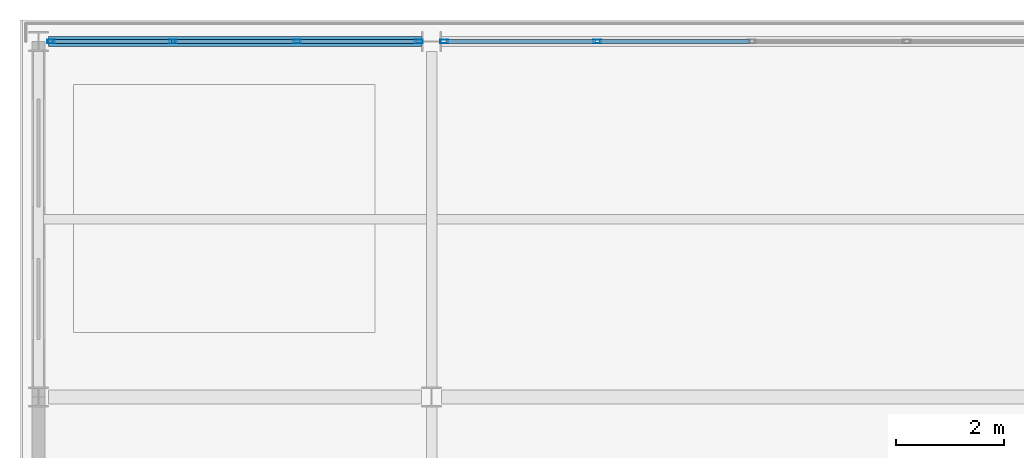
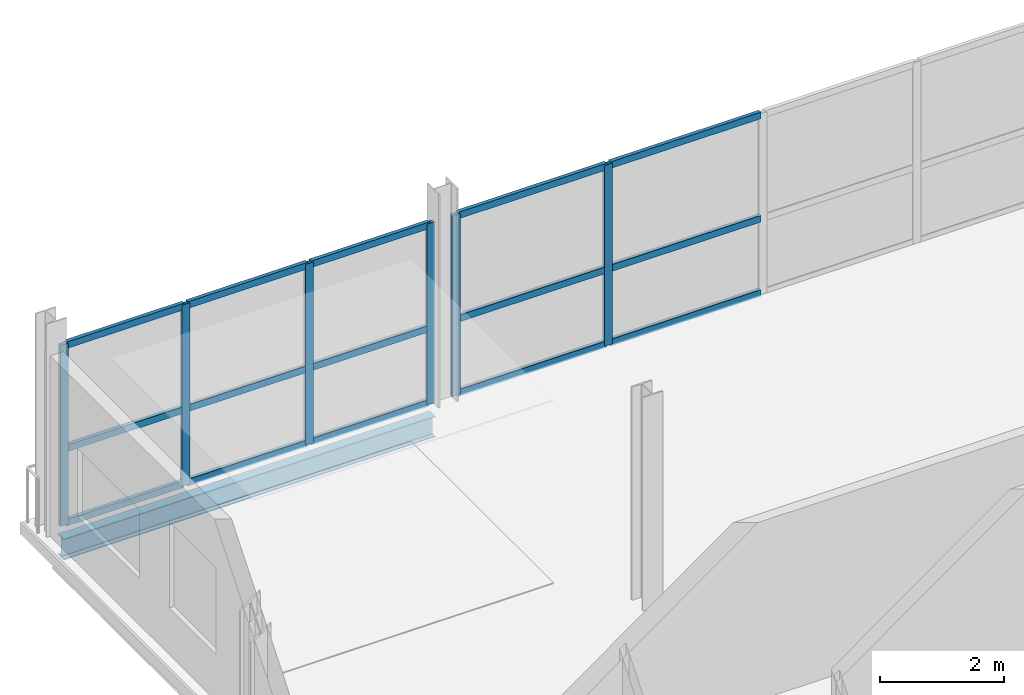
# One storey, part 11 of 20: 21 members, 1 beam, 2 elements without a shape of their own.
"""IFC4 building model written with IfcOpenShell, lengths in metres."""

from ifc_helpers import new_model, si_unit, direction, frame, origin, origin_2d, place, context, subcontext, project, spatial, hollow_rectangle, i_section, extrude, material, layer, layer_set, material_profile, profile_set, type_object, element, aggregate, save


model = new_model("IFC4")

# Units and contexts
model_context = context("Model", 3, precision=1e-05, world=origin(), true_north=direction((0.0, 1.0)))
body_context = subcontext(model_context, "Body", "Model", "MODEL_VIEW")
ifc_project = project(units=[si_unit("LENGTHUNIT", "METRE"), si_unit("AREAUNIT", "SQUARE_METRE"), si_unit("VOLUMEUNIT", "CUBIC_METRE"), si_unit("PLANEANGLEUNIT", "RADIAN"), si_unit("MASSUNIT", "GRAM", prefix="KILO")], contexts=[model_context])

# Site, building, storey
site_placement = place(None, origin())
site = spatial("IfcSite", under=ifc_project, at=site_placement, CompositionType="ELEMENT")
building_placement = place(site_placement, origin())
building = spatial("IfcBuilding", under=site, at=building_placement, Name="Quillay Park Conservatory", CompositionType="ELEMENT")
storey_placement = place(building_placement, frame((0.0, 0.0, 26.699951171875)))
storey = spatial("IfcBuildingStorey", under=building, at=storey_placement, Name="L06", CompositionType="ELEMENT", Elevation=26.699951171875)

# Curtain wall, members
ifc_material_1 = material(Name="Thermally Broken Anodised Aluminium 6063-T6", Category="aluminium")
ifc_layer = layer(ifc_material_1, 0.199951171875)
ifc_layer_set = layer_set([ifc_layer], Name="UNITISED CURTAIN WALL HERBARIUM (Thermally Broken Anodised Aluminium 6063-T6)")
curtain_wall_type = type_object("IfcCurtainWallType", Name="UNITISED CURTAIN WALL HERBARIUM", PredefinedType="USERDEFINED", material=ifc_layer_set)
curtain_wall_1_placement = place(storey_placement, origin())
curtain_wall_1 = element("IfcCurtainWall", 1, at=curtain_wall_1_placement, inside=storey, type_object=curtain_wall_type, Name="L06 Unitised Curtain Wall 065", ObjectType="UNITISED CURTAIN WALL", PredefinedType="USERDEFINED")
ifc_material_2 = material(Name="Thermally Broken Anodised Aluminium 6063-T6", Category="aluminium")
ifc_material_profile_1 = material_profile(ifc_material_2, hollow_rectangle(XDim=0.070068359375, YDim=0.14990234375, WallThickness=0.00341796875, at=origin_2d()), Name="AL70x150x3.5")
ifc_profile_set_1 = profile_set([ifc_material_profile_1], Name="Thermally Broken Anodised Aluminium 6063-T6")
member_type_1 = type_object("IfcMemberType", Name="CURTAIN WALL MULLION 70 X150", PredefinedType="MULLION", material=ifc_profile_set_1)
member_1_placement = place(storey_placement, frame((0.784912109375, 113.39990234375, 0.0), z_axis=(0.0, 0.0, 1.0), x_axis=(0.0, 1.0, 0.0)))
member_1 = element("IfcMember", 2, at=member_1_placement, type_object=member_type_1, Name="CW-T2 mullion 1", PredefinedType="MULLION", context=body_context, shape_type="SweptSolid", body=[
    extrude(hollow_rectangle(XDim=0.070068359375, YDim=0.14990234375, WallThickness=0.00341796875, at=origin_2d()), origin(), (0.0, 0.0, 1.0), 3.569091796875),
])
member_2_placement = place(storey_placement, frame((3.050048828125, 113.39990234375, 0.0), z_axis=(0.0, 0.0, 1.0), x_axis=(0.0, 1.0, 0.0)))
member_2 = element("IfcMember", 3, at=member_2_placement, type_object=member_type_1, Name="CW-T2 mullion 2", PredefinedType="MULLION", context=body_context, shape_type="SweptSolid", body=[
    extrude(hollow_rectangle(XDim=0.070068359375, YDim=0.14990234375, WallThickness=0.00341796875, at=origin_2d()), origin(), (0.0, 0.0, 1.0), 3.569091796875),
])
member_3_placement = place(storey_placement, frame((5.35009765625, 113.39990234375, 0.0), z_axis=(0.0, 0.0, 1.0), x_axis=(0.0, 1.0, 0.0)))
member_3 = element("IfcMember", 4, at=member_3_placement, type_object=member_type_1, Name="CW-T2 mullion 3", PredefinedType="MULLION", context=body_context, shape_type="SweptSolid", body=[
    extrude(hollow_rectangle(XDim=0.070068359375, YDim=0.14990234375, WallThickness=0.00341796875, at=origin_2d()), origin(), (0.0, 0.0, 1.0), 3.569091796875),
])
member_4_placement = place(storey_placement, frame((7.614990234375, 113.39990234375, 0.0), z_axis=(0.0, 0.0, 1.0), x_axis=(0.0, 1.0, 0.0)))
member_4 = element("IfcMember", 5, at=member_4_placement, type_object=member_type_1, Name="CW-T2 mullion 4", PredefinedType="MULLION", context=body_context, shape_type="SweptSolid", body=[
    extrude(hollow_rectangle(XDim=0.070068359375, YDim=0.14990234375, WallThickness=0.00341796875, at=origin_2d()), origin(), (0.0, 0.0, 1.0), 3.569091796875),
])

curtain_wall_2_placement = place(storey_placement, origin())
curtain_wall_2 = element("IfcCurtainWall", 6, at=curtain_wall_2_placement, inside=storey, type_object=curtain_wall_type, Name="L06 Unitised Curtain Wall 066", ObjectType="UNITISED CURTAIN WALL", PredefinedType="USERDEFINED")
member_5_placement = place(storey_placement, frame((8.0849609375, 113.39990234375, 0.0), z_axis=(0.0, 0.0, 1.0), x_axis=(0.0, 1.0, 0.0)))
member_5 = element("IfcMember", 7, at=member_5_placement, type_object=member_type_1, Name="CW-T2 mullion 1", PredefinedType="MULLION", context=body_context, shape_type="SweptSolid", body=[
    extrude(hollow_rectangle(XDim=0.070068359375, YDim=0.14990234375, WallThickness=0.00341796875, at=origin_2d()), origin(), (0.0, 0.0, 1.0), 3.569091796875),
])
member_6_placement = place(storey_placement, frame((10.925048828125, 113.39990234375, 0.0), z_axis=(0.0, 0.0, 1.0), x_axis=(0.0, 1.0, 0.0)))
member_6 = element("IfcMember", 8, at=member_6_placement, type_object=member_type_1, Name="CW-T2 mullion 2", PredefinedType="MULLION", context=body_context, shape_type="SweptSolid", body=[
    extrude(hollow_rectangle(XDim=0.070068359375, YDim=0.14990234375, WallThickness=0.00341796875, at=origin_2d()), origin(), (0.0, 0.0, 1.0), 3.569091796875),
])

# Member
ifc_material_3 = material(Name="Thermally Broken Anodised Aluminium 6063-T6", Category="aluminium")
ifc_material_profile_2 = material_profile(ifc_material_3, hollow_rectangle(XDim=0.070068359375, YDim=0.1298828125, WallThickness=0.003173828125, at=origin_2d()), Name="AL70x130x3.2")
ifc_profile_set_2 = profile_set([ifc_material_profile_2], Name="Thermally Broken Anodised Aluminium 6063-T6")
member_type_2 = type_object("IfcMemberType", Name="CURTAIN WALL TRANSOM 70 X130", PredefinedType="USERDEFINED", material=ifc_profile_set_2)
member_7_placement = place(storey_placement, frame((0.820068359375, 113.39990234375, 0.03515625), z_axis=(1.0, 0.0, 0.0), x_axis=(0.0, 1.0, 0.0)))
member_7 = element("IfcMember", 9, at=member_7_placement, type_object=member_type_2, Name="CW-T2 transom 1.1", ObjectType="TRANSOM", PredefinedType="USERDEFINED", context=body_context, shape_type="SweptSolid", body=[
    extrude(hollow_rectangle(XDim=0.070068359375, YDim=0.1298828125, WallThickness=0.003173828125, at=origin_2d()), origin(), (0.0, 0.0, 1.0), 2.19482421875),
])

member_8_placement = place(storey_placement, frame((0.820068359375, 113.39990234375, 1.4990234375), z_axis=(1.0, 0.0, 0.0), x_axis=(0.0, 1.0, 0.0)))
member_8 = element("IfcMember", 10, at=member_8_placement, type_object=member_type_2, Name="CW-T2 transom 1.2", ObjectType="TRANSOM", PredefinedType="USERDEFINED", context=body_context, shape_type="SweptSolid", body=[
    extrude(hollow_rectangle(XDim=0.070068359375, YDim=0.1298828125, WallThickness=0.003173828125, at=origin_2d()), origin(), (0.0, 0.0, 1.0), 2.19482421875),
])

member_9_placement = place(storey_placement, frame((0.820068359375, 113.39990234375, 3.533935546875), z_axis=(1.0, 0.0, 0.0), x_axis=(0.0, 1.0, 0.0)))
member_9 = element("IfcMember", 11, at=member_9_placement, type_object=member_type_2, Name="CW-T2 transom 1.3", ObjectType="TRANSOM", PredefinedType="USERDEFINED", context=body_context, shape_type="SweptSolid", body=[
    extrude(hollow_rectangle(XDim=0.070068359375, YDim=0.1298828125, WallThickness=0.003173828125, at=origin_2d()), origin(), (0.0, 0.0, 1.0), 2.19482421875),
])

member_10_placement = place(storey_placement, frame((3.0849609375, 113.39990234375, 0.03515625), z_axis=(1.0, 0.0, 0.0), x_axis=(0.0, 1.0, 0.0)))
member_10 = element("IfcMember", 12, at=member_10_placement, type_object=member_type_2, Name="CW-T2 transom 2.1", ObjectType="TRANSOM", PredefinedType="USERDEFINED", context=body_context, shape_type="SweptSolid", body=[
    extrude(hollow_rectangle(XDim=0.070068359375, YDim=0.1298828125, WallThickness=0.003173828125, at=origin_2d()), origin(), (0.0, 0.0, 1.0), 2.22998046875),
])

member_11_placement = place(storey_placement, frame((3.0849609375, 113.39990234375, 1.4990234375), z_axis=(1.0, 0.0, 0.0), x_axis=(0.0, 1.0, 0.0)))
member_11 = element("IfcMember", 13, at=member_11_placement, type_object=member_type_2, Name="CW-T2 transom 2.2", ObjectType="TRANSOM", PredefinedType="USERDEFINED", context=body_context, shape_type="SweptSolid", body=[
    extrude(hollow_rectangle(XDim=0.070068359375, YDim=0.1298828125, WallThickness=0.003173828125, at=origin_2d()), origin(), (0.0, 0.0, 1.0), 2.22998046875),
])

member_12_placement = place(storey_placement, frame((3.0849609375, 113.39990234375, 3.533935546875), z_axis=(1.0, 0.0, 0.0), x_axis=(0.0, 1.0, 0.0)))
member_12 = element("IfcMember", 14, at=member_12_placement, type_object=member_type_2, Name="CW-T2 transom 2.3", ObjectType="TRANSOM", PredefinedType="USERDEFINED", context=body_context, shape_type="SweptSolid", body=[
    extrude(hollow_rectangle(XDim=0.070068359375, YDim=0.1298828125, WallThickness=0.003173828125, at=origin_2d()), origin(), (0.0, 0.0, 1.0), 2.22998046875),
])

member_13_placement = place(storey_placement, frame((5.385009765625, 113.39990234375, 0.03515625), z_axis=(1.0, 0.0, 0.0), x_axis=(0.0, 1.0, 0.0)))
member_13 = element("IfcMember", 15, at=member_13_placement, type_object=member_type_2, Name="CW-T2 transom 3.1", ObjectType="TRANSOM", PredefinedType="USERDEFINED", context=body_context, shape_type="SweptSolid", body=[
    extrude(hollow_rectangle(XDim=0.070068359375, YDim=0.1298828125, WallThickness=0.003173828125, at=origin_2d()), origin(), (0.0, 0.0, 1.0), 2.195068359375),
])

member_14_placement = place(storey_placement, frame((5.385009765625, 113.39990234375, 1.4990234375), z_axis=(1.0, 0.0, 0.0), x_axis=(0.0, 1.0, 0.0)))
member_14 = element("IfcMember", 16, at=member_14_placement, type_object=member_type_2, Name="CW-T2 transom 3.2", ObjectType="TRANSOM", PredefinedType="USERDEFINED", context=body_context, shape_type="SweptSolid", body=[
    extrude(hollow_rectangle(XDim=0.070068359375, YDim=0.1298828125, WallThickness=0.003173828125, at=origin_2d()), origin(), (0.0, 0.0, 1.0), 2.195068359375),
])

member_15_placement = place(storey_placement, frame((5.385009765625, 113.39990234375, 3.533935546875), z_axis=(1.0, 0.0, 0.0), x_axis=(0.0, 1.0, 0.0)))
member_15 = element("IfcMember", 17, at=member_15_placement, type_object=member_type_2, Name="CW-T2 transom 3.3", ObjectType="TRANSOM", PredefinedType="USERDEFINED", context=body_context, shape_type="SweptSolid", body=[
    extrude(hollow_rectangle(XDim=0.070068359375, YDim=0.1298828125, WallThickness=0.003173828125, at=origin_2d()), origin(), (0.0, 0.0, 1.0), 2.195068359375),
])

aggregate(curtain_wall_1, [member_1, member_2, member_3, member_4, member_7, member_8, member_9, member_10, member_11, member_12, member_13, member_14, member_15])

member_16_placement = place(storey_placement, frame((8.1201171875, 113.39990234375, 0.03515625), z_axis=(1.0, 0.0, 0.0), x_axis=(0.0, 1.0, 0.0)))
member_16 = element("IfcMember", 18, at=member_16_placement, type_object=member_type_2, Name="CW-T2 transom 1.1", ObjectType="TRANSOM", PredefinedType="USERDEFINED", context=body_context, shape_type="SweptSolid", body=[
    extrude(hollow_rectangle(XDim=0.070068359375, YDim=0.1298828125, WallThickness=0.003173828125, at=origin_2d()), origin(), (0.0, 0.0, 1.0), 2.769775390625),
])

member_17_placement = place(storey_placement, frame((8.1201171875, 113.39990234375, 1.4990234375), z_axis=(1.0, 0.0, 0.0), x_axis=(0.0, 1.0, 0.0)))
member_17 = element("IfcMember", 19, at=member_17_placement, type_object=member_type_2, Name="CW-T2 transom 1.2", ObjectType="TRANSOM", PredefinedType="USERDEFINED", context=body_context, shape_type="SweptSolid", body=[
    extrude(hollow_rectangle(XDim=0.070068359375, YDim=0.1298828125, WallThickness=0.003173828125, at=origin_2d()), origin(), (0.0, 0.0, 1.0), 2.769775390625),
])

member_18_placement = place(storey_placement, frame((8.1201171875, 113.39990234375, 3.533935546875), z_axis=(1.0, 0.0, 0.0), x_axis=(0.0, 1.0, 0.0)))
member_18 = element("IfcMember", 20, at=member_18_placement, type_object=member_type_2, Name="CW-T2 transom 1.3", ObjectType="TRANSOM", PredefinedType="USERDEFINED", context=body_context, shape_type="SweptSolid", body=[
    extrude(hollow_rectangle(XDim=0.070068359375, YDim=0.1298828125, WallThickness=0.003173828125, at=origin_2d()), origin(), (0.0, 0.0, 1.0), 2.769775390625),
])

member_19_placement = place(storey_placement, frame((10.9599609375, 113.39990234375, 0.03515625), z_axis=(1.0, 0.0, 0.0), x_axis=(0.0, 1.0, 0.0)))
member_19 = element("IfcMember", 21, at=member_19_placement, type_object=member_type_2, Name="CW-T2 transom 2.1", ObjectType="TRANSOM", PredefinedType="USERDEFINED", context=body_context, shape_type="SweptSolid", body=[
    extrude(hollow_rectangle(XDim=0.070068359375, YDim=0.1298828125, WallThickness=0.003173828125, at=origin_2d()), origin(), (0.0, 0.0, 1.0), 2.804931640625),
])

member_20_placement = place(storey_placement, frame((10.9599609375, 113.39990234375, 1.4990234375), z_axis=(1.0, 0.0, 0.0), x_axis=(0.0, 1.0, 0.0)))
member_20 = element("IfcMember", 22, at=member_20_placement, type_object=member_type_2, Name="CW-T2 transom 2.2", ObjectType="TRANSOM", PredefinedType="USERDEFINED", context=body_context, shape_type="SweptSolid", body=[
    extrude(hollow_rectangle(XDim=0.070068359375, YDim=0.1298828125, WallThickness=0.003173828125, at=origin_2d()), origin(), (0.0, 0.0, 1.0), 2.804931640625),
])

member_21_placement = place(storey_placement, frame((10.9599609375, 113.39990234375, 3.533935546875), z_axis=(1.0, 0.0, 0.0), x_axis=(0.0, 1.0, 0.0)))
member_21 = element("IfcMember", 23, at=member_21_placement, type_object=member_type_2, Name="CW-T2 transom 2.3", ObjectType="TRANSOM", PredefinedType="USERDEFINED", context=body_context, shape_type="SweptSolid", body=[
    extrude(hollow_rectangle(XDim=0.070068359375, YDim=0.1298828125, WallThickness=0.003173828125, at=origin_2d()), origin(), (0.0, 0.0, 1.0), 2.804931640625),
])

aggregate(curtain_wall_2, [member_5, member_6, member_16, member_17, member_18, member_19, member_20, member_21])

# Beam
ifc_material_4 = material(Name="Steel ASTM A992 Grade 50", Category="steel")
ifc_material_profile_3 = material_profile(ifc_material_4, i_section(OverallWidth=0.179931640625, OverallDepth=0.4130859375, WebThickness=0.009765625, FlangeThickness=0.01611328125, FilletRadius=0.011962890625, at=origin_2d()), Name="W410x74")
ifc_profile_set_3 = profile_set([ifc_material_profile_3], Name="Steel ASTM A992 Grade 50")
beam_type = type_object("IfcBeamType", Name="PERIMETER SPANDREL BEAM W410 X74", PredefinedType="SPANDREL", material=ifc_profile_set_3)
beam_placement = place(storey_placement, frame((0.737060546875, 113.39990234375, -0.426513671875), z_axis=(1.0, 0.0, 0.0), x_axis=(0.0, 1.0, 0.0)))
element("IfcBeam", 24, at=beam_placement, inside=storey, type_object=beam_type, Name="L06 beam BM-SP-0467", PredefinedType="SPANDREL", context=body_context, shape_type="SweptSolid", body=[
    extrude(i_section(OverallWidth=0.179931640625, OverallDepth=0.4130859375, WebThickness=0.009765625, FlangeThickness=0.01611328125, FilletRadius=0.011962890625, at=origin_2d()), origin(), (0.0, 0.0, 1.0), 6.927001953125),
])

save(model, "model.ifc")
